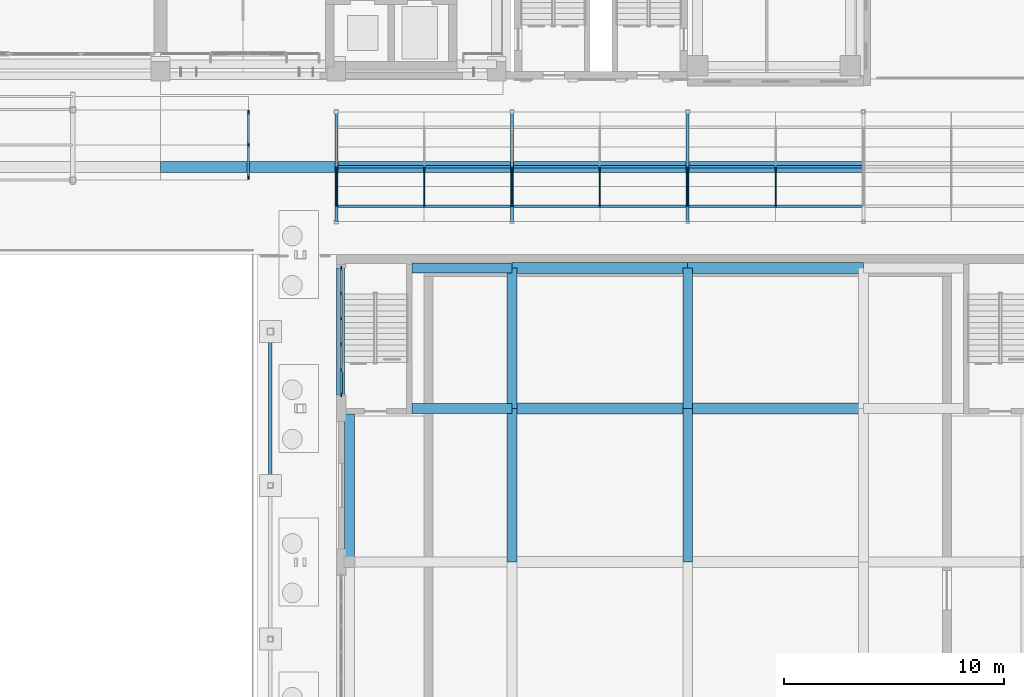
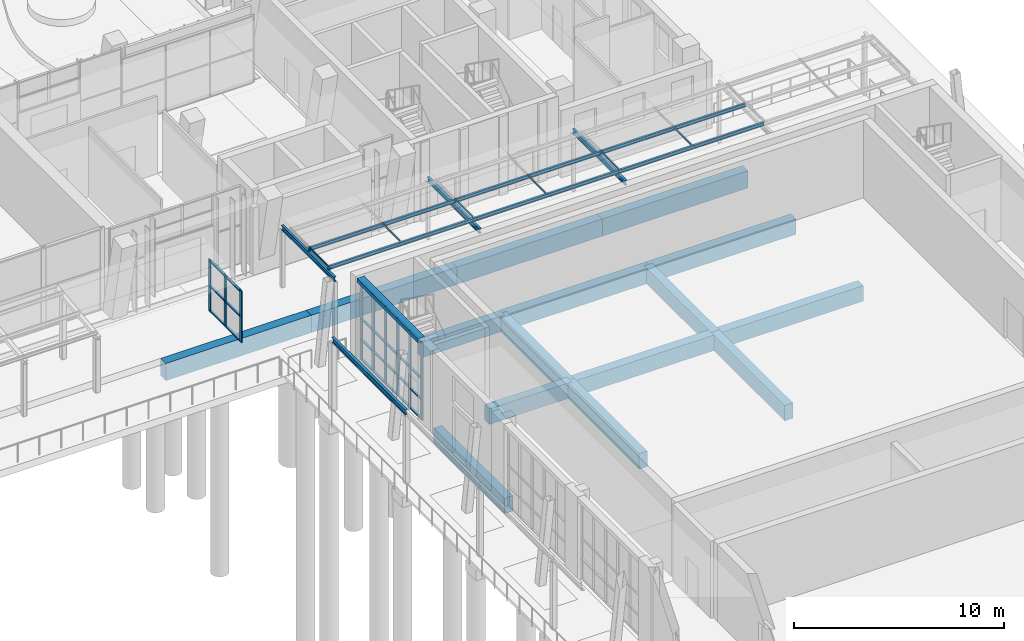
# One storey, part 39 of 144: 47 members, 20 beams, 2 elements without a shape of their own.
"""IFC4 building model written with IfcOpenShell, lengths in metres."""

import ifcopenshell
import ifcopenshell.guid

model = None  # the IFC model being written
_history = None  # IfcOwnerHistory: only IFC2X3 demands one
_inside = {}  # id of a spatial element -> (the spatial element, [elements in it])
_under = {}  # id of a project, library or spatial element -> (it, [spatial elements below it])
_declared = {}  # id of a project -> (the project, [libraries it declares])
_typed = {}  # id of a type object -> (the type object, [elements of that type])
_made_of = {}  # id of a material, layer set ... -> (it, [elements and type objects made of it])


def new_model(schema):
    """Start an empty IFC model of exactly this schema.

    Asked for "IFC4X3", IfcOpenShell would pick the latest addendum, in which some entities
    have other attributes; the version numbers below select the first issue.
    IFC2X3 requires an IfcOwnerHistory on every rooted entity: one is made here for all.
    """
    global model, _history
    if schema == "IFC4X3":
        model = ifcopenshell.file(schema_version=(4, 3, 0, 0))
    else:
        model = ifcopenshell.file(schema=schema)
    _inside.clear()
    _under.clear()
    _declared.clear()
    _typed.clear()
    _made_of.clear()
    _history = None
    if model.schema == "IFC2X3":
        org = make("IfcOrganization", Name="unknown")
        user = make(
            "IfcPersonAndOrganization",
            ThePerson=make("IfcPerson", FamilyName="unknown"),
            TheOrganization=org,
        )
        app = make(
            "IfcApplication",
            ApplicationDeveloper=org,
            Version="unknown",
            ApplicationFullName="unknown",
            ApplicationIdentifier="unknown",
        )
        _history = make(
            "IfcOwnerHistory",
            OwningUser=user,
            OwningApplication=app,
            ChangeAction="ADDED",
            CreationDate=0,
        )
    return model


def make(cls, **values):
    """One entity of the class cls with the attributes given. An attribute that is None is left unset."""
    return model.create_entity(
        cls, **{name: value for name, value in values.items() if value is not None}
    )


def rooted(cls, **values):
    """An entity with a GlobalId (a new one), such as an element, a storey or a relation."""
    return make(cls, GlobalId=ifcopenshell.guid.new(), OwnerHistory=_history, **values)


def si_unit(unit_type, name, prefix=None):
    """IfcSIUnit, for example si_unit("LENGTHUNIT", "METRE", prefix="MILLI")."""
    return make("IfcSIUnit", UnitType=unit_type, Prefix=prefix, Name=name)


def assignment(units):
    """IfcUnitAssignment: the units of a project."""
    return None if units is None else make("IfcUnitAssignment", Units=units)


def point(xyz):
    """IfcCartesianPoint."""
    return None if xyz is None else make("IfcCartesianPoint", Coordinates=xyz)


def direction(xyz):
    """IfcDirection."""
    return None if xyz is None else make("IfcDirection", DirectionRatios=xyz)


def frame(location, z_axis=None, x_axis=None):
    """IfcAxis2Placement3D, a coordinate frame: its origin and axes. An axis left out is left unset."""
    return make(
        "IfcAxis2Placement3D",
        Location=point(location),
        Axis=direction(z_axis),
        RefDirection=direction(x_axis),
    )


def frame_2d(location, x_axis=None):
    """IfcAxis2Placement2D, a coordinate frame in the plane: its origin and x axis."""
    return make(
        "IfcAxis2Placement2D", Location=point(location), RefDirection=direction(x_axis)
    )


def origin():
    """The frame at (0, 0, 0) with its axes left unset."""
    return frame((0.0, 0.0, 0.0))


def origin_2d():
    """The frame at (0, 0) in the plane with its x axis left unset."""
    return frame_2d((0.0, 0.0))


def place(relative_to, where):
    """IfcLocalPlacement: puts the frame where relative to a parent placement (None: the world)."""
    return make(
        "IfcLocalPlacement", PlacementRelTo=relative_to, RelativePlacement=where
    )


def context(
    kind, dimensions, precision=None, world=None, true_north=None, identifier=None
):
    """IfcGeometricRepresentationContext, for example the 3D "Model" context."""
    return make(
        "IfcGeometricRepresentationContext",
        ContextIdentifier=identifier,
        ContextType=kind,
        CoordinateSpaceDimension=dimensions,
        Precision=precision,
        WorldCoordinateSystem=world,
        TrueNorth=true_north,
    )


def subcontext(parent, identifier, kind, view, scale=None):
    """IfcGeometricRepresentationSubContext, for example "Body" below "Model"."""
    return make(
        "IfcGeometricRepresentationSubContext",
        ContextIdentifier=identifier,
        ContextType=kind,
        ParentContext=parent,
        TargetScale=scale,
        TargetView=view,
    )


def project(units=None, contexts=None):
    """IfcProject with its units and contexts."""
    return rooted(
        "IfcProject",
        Name="project",
        RepresentationContexts=contexts,
        UnitsInContext=assignment(units),
    )


def spatial(cls, under=None, at=None, **own):
    """A site, building, storey or space (cls), placed at a placement, below another one or the project."""
    s = rooted(cls, ObjectPlacement=at, **own)
    if under is not None:
        _under.setdefault(under.id(), (under, []))[1].append(s)
    return s


def profile(cls, at=None, kind="AREA", **sizes):
    """A parametric profile (cls). Its sizes go by their IFC names, for example OverallWidth=200.0."""
    return make(cls, ProfileType=kind, Position=at, **sizes)


def rectangle(**sizes):
    """IfcRectangleProfileDef."""
    return profile("IfcRectangleProfileDef", **sizes)


def i_section(**sizes):
    """IfcIShapeProfileDef."""
    return profile("IfcIShapeProfileDef", **sizes)


def extrude(swept, where, along, depth):
    """IfcExtrudedAreaSolid: the profile swept, set in the frame where, extruded along a direction by depth."""
    return make(
        "IfcExtrudedAreaSolid",
        SweptArea=swept,
        Position=where,
        ExtrudedDirection=direction(along),
        Depth=depth,
    )


def shape(context_of_items, identifier, shape_type, items):
    """IfcShapeRepresentation: the items that make up one representation, for example the "Body"."""
    return make(
        "IfcShapeRepresentation",
        ContextOfItems=context_of_items,
        RepresentationIdentifier=identifier,
        RepresentationType=shape_type,
        Items=items,
    )


def material(Name=None, Category=None):
    """IfcMaterial."""
    return make("IfcMaterial", Name=Name, Category=Category)


def layer(
    of_material, thickness, ventilated=None, Name=None, Category=None, Priority=None
):
    """IfcMaterialLayer: one layer of a wall or slab, of a material (None: an air gap)."""
    return make(
        "IfcMaterialLayer",
        Material=of_material,
        LayerThickness=thickness,
        IsVentilated=ventilated,
        Name=Name,
        Category=Category,
        Priority=Priority,
    )


def layer_set(layers, Name=None):
    """IfcMaterialLayerSet."""
    return make("IfcMaterialLayerSet", MaterialLayers=layers, LayerSetName=Name)


def material_profile(
    of_material, cross_section, Name=None, Category=None, Priority=None
):
    """IfcMaterialProfile: a cross section and its material."""
    return make(
        "IfcMaterialProfile",
        Name=Name,
        Material=of_material,
        Profile=cross_section,
        Priority=Priority,
        Category=Category,
    )


def profile_set(profiles, Name=None, composite=None):
    """IfcMaterialProfileSet."""
    return make(
        "IfcMaterialProfileSet",
        Name=Name,
        MaterialProfiles=profiles,
        CompositeProfile=composite,
    )


def made_of(thing, what):
    """Note that an element or type object is made of a material, layer set ...; save() writes the relation."""
    if what is not None:
        _made_of.setdefault(what.id(), (what, []))[1].append(thing)
    return thing


def type_object(cls, material=None, **own):
    """A type object (cls), such as IfcWallType, which elements share."""
    return made_of(rooted(cls, **own), material)


def element(
    cls,
    number,
    at=None,
    inside=None,
    cuts=None,
    type_object=None,
    material=None,
    context=None,
    identifier="Body",
    shape_type=None,
    held_by="IfcProductDefinitionShape",
    body=None,
    shapes=None,
    **own,
):
    """One element of the class cls, such as IfcWall. Its Tag is "e" and its number.

    at: its placement. inside: the storey or other place that contains it. cuts: it is an
    opening in that element (IfcRelVoidsElement). A single representation is given by context,
    identifier, shape_type and body (its items); several are given by shapes. held_by: the class
    of the entity that holds the representations. save() writes the other relations.
    """
    e = rooted(cls, Tag="e%d" % number, ObjectPlacement=at, **own)
    if body is not None:
        shapes = [shape(context, identifier, shape_type, body)]
    if shapes is not None:
        e.Representation = make(held_by, Representations=shapes)
    if inside is not None:
        _inside.setdefault(inside.id(), (inside, []))[1].append(e)
    if cuts is not None:
        rooted(
            "IfcRelVoidsElement", RelatingBuildingElement=cuts, RelatedOpeningElement=e
        )
    if type_object is not None:
        _typed.setdefault(type_object.id(), (type_object, []))[1].append(e)
    return made_of(e, material)


def aggregate(whole, parts):
    """IfcRelAggregates: a whole, such as a stair, and the parts it consists of."""
    return rooted("IfcRelAggregates", RelatingObject=whole, RelatedObjects=parts)


def save(model, path):
    """Write the relations noted so far, then the file.

    IfcRelAggregates (storeys below a building ...), IfcRelContainedInSpatialStructure (elements
    in a storey), IfcRelDefinesByType, IfcRelAssociatesMaterial and IfcRelDeclares: one each for
    every whole, place, type object, material and project.
    """
    for whole, parts in _under.values():
        aggregate(whole, parts)
    for where, things in _inside.values():
        rooted(
            "IfcRelContainedInSpatialStructure",
            RelatedElements=things,
            RelatingStructure=where,
        )
    for kind, things in _typed.values():
        rooted("IfcRelDefinesByType", RelatedObjects=things, RelatingType=kind)
    for what, things in _made_of.values():
        rooted("IfcRelAssociatesMaterial", RelatedObjects=things, RelatingMaterial=what)
    for by, libraries in _declared.values():
        rooted("IfcRelDeclares", RelatingContext=by, RelatedDefinitions=libraries)
    model.write(path)


model = new_model("IFC4")

# Units and contexts
model_context = context("Model", 3, precision=1e-05, world=origin(), true_north=direction((0.0, 1.0)))
body_context = subcontext(model_context, "Body", "Model", "MODEL_VIEW")
ifc_project = project(units=[si_unit("LENGTHUNIT", "METRE"), si_unit("AREAUNIT", "SQUARE_METRE"), si_unit("VOLUMEUNIT", "CUBIC_METRE"), si_unit("PLANEANGLEUNIT", "RADIAN"), si_unit("MASSUNIT", "GRAM", prefix="KILO")], contexts=[model_context])

# Site, building, storey
site_placement = place(None, origin())
site = spatial("IfcSite", under=ifc_project, at=site_placement, CompositionType="ELEMENT")
building_placement = place(site_placement, origin())
building = spatial("IfcBuilding", under=site, at=building_placement, Name="Lantern Court Media Centre", CompositionType="ELEMENT")
storey_placement = place(building_placement, origin())
storey = spatial("IfcBuildingStorey", under=building, at=storey_placement, Name="L00", CompositionType="ELEMENT", Elevation=0.0)

# Beams
ifc_material_1 = material(Name="Steel S355J2 (EN 10025-2)", Category="steel")
ifc_material_profile_1 = material_profile(ifc_material_1, i_section(OverallWidth=0.135009765625, OverallDepth=0.27001953125, WebThickness=0.006591796875, FlangeThickness=0.01025390625, FilletRadius=0.014892578125, at=origin_2d()), Name="IPE 270")
ifc_profile_set_1 = profile_set([ifc_material_profile_1], Name="Steel S355J2 (EN 10025-2)")
beam_type_1 = type_object("IfcBeamType", Name="Cloister canopy portal beam IPE 270", PredefinedType="BEAM", material=ifc_profile_set_1)
for number, where, z_axis, x_axis, name in (
    (1, (72.0, 41.5, 3.465087890625), (0.0, 1.0, 0.0), (-1.0, 0.0, 0.0), "Cloister portal beam 2-1"),
    (2, (80.0, 41.5, 3.465087890625), (0.0, 1.0, 0.0), (-1.0, 0.0, 0.0), "Cloister portal beam 2-2"),
    (3, (88.0, 41.5, 3.465087890625), (0.0, 1.0, 0.0), (-1.0, 0.0, 0.0), "Cloister portal beam 2-3"),
):
    element("IfcBeam", number, at=place(storey_placement, frame(where, z_axis=z_axis, x_axis=x_axis)), inside=storey, type_object=beam_type_1, Name=name, PredefinedType="BEAM", context=body_context, shape_type="SweptSolid", body=[
        extrude(i_section(OverallWidth=0.135009765625, OverallDepth=0.27001953125, WebThickness=0.006591796875, FlangeThickness=0.01025390625, FilletRadius=0.014892578125, at=origin_2d()), origin(), (0.0, 0.0, 1.0), 5.0),
    ])

# Members
ifc_material_profile_2 = material_profile(ifc_material_1, i_section(OverallWidth=0.10009765625, OverallDepth=0.199951171875, WebThickness=0.005615234375, FlangeThickness=0.008544921875, FilletRadius=0.011962890625, at=origin_2d()), Name="IPE 200")
ifc_profile_set_2 = profile_set([ifc_material_profile_2], Name="Steel S355J2 (EN 10025-2)")
member_type_1 = type_object("IfcMemberType", Name="Cloister canopy purlin IPE 200", PredefinedType="PURLIN", material=ifc_profile_set_2)
for number, where, z_axis, x_axis, name in (
    (4, (72.0, 42.199951171875, 3.699951171875), (1.0, 0.0, 0.0), (0.0, 1.0, 0.0), "Cloister purlin 2-1-1"),
    (5, (80.0, 42.199951171875, 3.699951171875), (1.0, 0.0, 0.0), (0.0, 1.0, 0.0), "Cloister purlin 2-1-2"),
    (6, (88.0, 42.199951171875, 3.699951171875), (1.0, 0.0, 0.0), (0.0, 1.0, 0.0), "Cloister purlin 2-1-3"),
    (7, (72.0, 44.0, 3.699951171875), (1.0, 0.0, 0.0), (0.0, 1.0, 0.0), "Cloister purlin 2-2-1"),
    (8, (80.0, 44.0, 3.699951171875), (1.0, 0.0, 0.0), (0.0, 1.0, 0.0), "Cloister purlin 2-2-2"),
    (9, (88.0, 44.0, 3.699951171875), (1.0, 0.0, 0.0), (0.0, 1.0, 0.0), "Cloister purlin 2-2-3"),
):
    element("IfcMember", number, at=place(storey_placement, frame(where, z_axis=z_axis, x_axis=x_axis)), inside=storey, type_object=member_type_1, Name=name, PredefinedType="PURLIN", context=body_context, shape_type="SweptSolid", body=[
        extrude(i_section(OverallWidth=0.10009765625, OverallDepth=0.199951171875, WebThickness=0.005615234375, FlangeThickness=0.008544921875, FilletRadius=0.011962890625, at=origin_2d()), origin(), (0.0, 0.0, 1.0), 8.0),
    ])
ifc_material_profile_3 = material_profile(ifc_material_1, i_section(OverallWidth=0.0458984375, OverallDepth=0.080078125, WebThickness=0.00390625, FlangeThickness=0.005126953125, FilletRadius=0.0048828125, at=origin_2d()), Name="IPE 80")
ifc_profile_set_3 = profile_set([ifc_material_profile_3], Name="Steel S355J2 (EN 10025-2)")
member_type_2 = type_object("IfcMemberType", Name="Cloister sheeting rail IPE 80", PredefinedType="STRUT", material=ifc_profile_set_3)
for number, where, z_axis, x_axis, name in (
    (10, (72.0, 42.199951171875, 3.840087890625), (0.0, 1.0, 0.0), (-1.0, 0.0, 0.0), "Cloister sheeting rail 2-1-1"),
    (11, (76.0, 42.199951171875, 3.840087890625), (0.0, 1.0, 0.0), (-1.0, 0.0, 0.0), "Cloister sheeting rail 2-2-1"),
    (12, (80.0, 42.199951171875, 3.840087890625), (0.0, 1.0, 0.0), (-1.0, 0.0, 0.0), "Cloister sheeting rail 2-3-1"),
    (13, (84.0, 42.199951171875, 3.840087890625), (0.0, 1.0, 0.0), (-1.0, 0.0, 0.0), "Cloister sheeting rail 2-4-1"),
    (14, (88.0, 42.199951171875, 3.840087890625), (0.0, 1.0, 0.0), (-1.0, 0.0, 0.0), "Cloister sheeting rail 2-5-1"),
    (15, (92.0, 42.199951171875, 3.840087890625), (0.0, 1.0, 0.0), (-1.0, 0.0, 0.0), "Cloister sheeting rail 2-6-1"),
):
    element("IfcMember", number, at=place(storey_placement, frame(where, z_axis=z_axis, x_axis=x_axis)), inside=storey, type_object=member_type_2, Name=name, PredefinedType="STRUT", context=body_context, shape_type="SweptSolid", body=[
        extrude(i_section(OverallWidth=0.0458984375, OverallDepth=0.080078125, WebThickness=0.00390625, FlangeThickness=0.005126953125, FilletRadius=0.0048828125, at=origin_2d()), origin(), (0.0, 0.0, 1.0), 1.800048828125),
    ])

# Beam
ifc_material_profile_4 = material_profile(ifc_material_1, i_section(OverallWidth=0.14990234375, OverallDepth=0.300048828125, WebThickness=0.007080078125, FlangeThickness=0.0107421875, FilletRadius=0.014892578125, at=origin_2d()), Name="IPE 300")
ifc_profile_set_4 = profile_set([ifc_material_profile_4], Name="Steel S355J2 (EN 10025-2)")
beam_type_2 = type_object("IfcBeamType", Name="Forecourt colonnade beam IPE 300", PredefinedType="BEAM", material=ifc_profile_set_4)
beam_1_placement = place(storey_placement, frame((69.0, 29.5, 4.050048828125), z_axis=(0.0, 1.0, 0.0), x_axis=(-1.0, 0.0, 0.0)))
element("IfcBeam", 16, at=beam_1_placement, inside=storey, type_object=beam_type_2, Name="Forecourt colonnade beam V2 4", PredefinedType="BEAM", context=body_context, shape_type="SweptSolid", body=[
    extrude(i_section(OverallWidth=0.14990234375, OverallDepth=0.300048828125, WebThickness=0.007080078125, FlangeThickness=0.0107421875, FilletRadius=0.014892578125, at=origin_2d()), origin(), (0.0, 0.0, 1.0), 7.0),
])

# Curtain wall, members
ifc_material_2 = material(Name="Aluminium and glass", Category="aluminium")
ifc_layer = layer(ifc_material_2, 0.14990234375)
ifc_layer_set = layer_set([ifc_layer], Name="Aluminium and glass")
curtain_wall_type = type_object("IfcCurtainWallType", Name="Hall lancet glazing", PredefinedType="NOTDEFINED", material=ifc_layer_set)
curtain_wall_1_placement = place(storey_placement, origin())
curtain_wall_1 = element("IfcCurtainWall", 17, at=curtain_wall_1_placement, inside=storey, type_object=curtain_wall_type, Name="Studio Hall foyer glazing 6", PredefinedType="NOTDEFINED")
ifc_material_3 = material(Name="Aluminium, anodised", Category="aluminium")
ifc_material_profile_5 = material_profile(ifc_material_3, rectangle(XDim=0.06005859375, YDim=0.199951171875, at=origin_2d()), Name="HM")
ifc_profile_set_5 = profile_set([ifc_material_profile_5], Name="Aluminium, anodised")
member_type_3 = type_object("IfcMemberType", Name="HM", PredefinedType="MULLION", material=ifc_profile_set_5)
member_1_placement = place(storey_placement, frame((72.22509765625, 33.6298828125, 0.0), z_axis=(0.0, 0.0, 1.0), x_axis=(-1.0, 0.0, 0.0)))
member_1 = element("IfcMember", 18, at=member_1_placement, type_object=member_type_3, Name="HCW-V26 mullion 1", PredefinedType="MULLION", context=body_context, shape_type="SweptSolid", body=[
    extrude(rectangle(XDim=0.06005859375, YDim=0.199951171875, at=origin_2d()), origin(), (0.0, 0.0, 1.0), 4.550048828125),
])
member_2_placement = place(storey_placement, frame((72.22509765625, 34.760009765625, 0.0), z_axis=(0.0, 0.0, 1.0), x_axis=(-1.0, 0.0, 0.0)))
member_2 = element("IfcMember", 19, at=member_2_placement, type_object=member_type_3, Name="HCW-V26 mullion 2", PredefinedType="MULLION", context=body_context, shape_type="SweptSolid", body=[
    extrude(rectangle(XDim=0.06005859375, YDim=0.199951171875, at=origin_2d()), origin(), (0.0, 0.0, 1.0), 4.550048828125),
])
member_3_placement = place(storey_placement, frame((72.22509765625, 35.919921875, 0.0), z_axis=(0.0, 0.0, 1.0), x_axis=(-1.0, 0.0, 0.0)))
member_3 = element("IfcMember", 20, at=member_3_placement, type_object=member_type_3, Name="HCW-V26 mullion 3", PredefinedType="MULLION", context=body_context, shape_type="SweptSolid", body=[
    extrude(rectangle(XDim=0.06005859375, YDim=0.199951171875, at=origin_2d()), origin(), (0.0, 0.0, 1.0), 4.550048828125),
])
member_4_placement = place(storey_placement, frame((72.22509765625, 37.080078125, 0.0), z_axis=(0.0, 0.0, 1.0), x_axis=(-1.0, 0.0, 0.0)))
member_4 = element("IfcMember", 21, at=member_4_placement, type_object=member_type_3, Name="HCW-V26 mullion 4", PredefinedType="MULLION", context=body_context, shape_type="SweptSolid", body=[
    extrude(rectangle(XDim=0.06005859375, YDim=0.199951171875, at=origin_2d()), origin(), (0.0, 0.0, 1.0), 4.550048828125),
])
member_5_placement = place(storey_placement, frame((72.22509765625, 38.239990234375, 0.0), z_axis=(0.0, 0.0, 1.0), x_axis=(-1.0, 0.0, 0.0)))
member_5 = element("IfcMember", 22, at=member_5_placement, type_object=member_type_3, Name="HCW-V26 mullion 5", PredefinedType="MULLION", context=body_context, shape_type="SweptSolid", body=[
    extrude(rectangle(XDim=0.06005859375, YDim=0.199951171875, at=origin_2d()), origin(), (0.0, 0.0, 1.0), 4.550048828125),
])
member_6_placement = place(storey_placement, frame((72.22509765625, 39.3701171875, 0.0), z_axis=(0.0, 0.0, 1.0), x_axis=(-1.0, 0.0, 0.0)))
member_6 = element("IfcMember", 23, at=member_6_placement, type_object=member_type_3, Name="HCW-V26 mullion 6", PredefinedType="MULLION", context=body_context, shape_type="SweptSolid", body=[
    extrude(rectangle(XDim=0.06005859375, YDim=0.199951171875, at=origin_2d()), origin(), (0.0, 0.0, 1.0), 4.550048828125),
])

curtain_wall_2_placement = place(storey_placement, origin())
curtain_wall_2 = element("IfcCurtainWall", 24, at=curtain_wall_2_placement, inside=storey, type_object=curtain_wall_type, Name="Entrance canopy east end glazing", PredefinedType="NOTDEFINED")
member_7_placement = place(storey_placement, frame((68.0, 43.530029296875, 0.0), z_axis=(0.0, 0.0, 1.0), x_axis=(-1.0, 0.0, 0.0)))
member_7 = element("IfcMember", 25, at=member_7_placement, type_object=member_type_3, Name="HCW-CE mullion 1", PredefinedType="MULLION", context=body_context, shape_type="SweptSolid", body=[
    extrude(rectangle(XDim=0.06005859375, YDim=0.199951171875, at=origin_2d()), origin(), (0.0, 0.0, 1.0), 3.0),
])
member_8_placement = place(storey_placement, frame((68.0, 45.0, 0.0), z_axis=(0.0, 0.0, 1.0), x_axis=(-1.0, 0.0, 0.0)))
member_8 = element("IfcMember", 26, at=member_8_placement, type_object=member_type_3, Name="HCW-CE mullion 2", PredefinedType="MULLION", context=body_context, shape_type="SweptSolid", body=[
    extrude(rectangle(XDim=0.06005859375, YDim=0.199951171875, at=origin_2d()), origin(), (0.0, 0.0, 1.0), 3.0),
])
member_9_placement = place(storey_placement, frame((68.0, 46.469970703125, 0.0), z_axis=(0.0, 0.0, 1.0), x_axis=(-1.0, 0.0, 0.0)))
member_9 = element("IfcMember", 27, at=member_9_placement, type_object=member_type_3, Name="HCW-CE mullion 3", PredefinedType="MULLION", context=body_context, shape_type="SweptSolid", body=[
    extrude(rectangle(XDim=0.06005859375, YDim=0.199951171875, at=origin_2d()), origin(), (0.0, 0.0, 1.0), 3.0),
])

# Member
ifc_material_profile_6 = material_profile(ifc_material_3, rectangle(XDim=0.1201171875, YDim=0.06005859375, at=origin_2d()), Name="HT")
ifc_profile_set_6 = profile_set([ifc_material_profile_6], Name="Aluminium, anodised")
member_type_4 = type_object("IfcMemberType", Name="HT", PredefinedType="USERDEFINED", material=ifc_profile_set_6)
member_10_placement = place(storey_placement, frame((72.22509765625, 33.659912109375, 0.06005859375), z_axis=(0.0, 1.0, 0.0), x_axis=(-1.0, 0.0, 0.0)))
member_10 = element("IfcMember", 28, at=member_10_placement, type_object=member_type_4, Name="HCW-V26 transom 1.1", ObjectType="TRANSOM", PredefinedType="USERDEFINED", context=body_context, shape_type="SweptSolid", body=[
    extrude(rectangle(XDim=0.1201171875, YDim=0.06005859375, at=origin_2d()), origin(), (0.0, 0.0, 1.0), 1.070068359375),
])

member_11_placement = place(storey_placement, frame((72.22509765625, 33.659912109375, 1.199951171875), z_axis=(0.0, 1.0, 0.0), x_axis=(-1.0, 0.0, 0.0)))
member_11 = element("IfcMember", 29, at=member_11_placement, type_object=member_type_4, Name="HCW-V26 transom 1.2", ObjectType="TRANSOM", PredefinedType="USERDEFINED", context=body_context, shape_type="SweptSolid", body=[
    extrude(rectangle(XDim=0.1201171875, YDim=0.06005859375, at=origin_2d()), origin(), (0.0, 0.0, 1.0), 1.070068359375),
])

member_12_placement = place(storey_placement, frame((72.22509765625, 33.659912109375, 2.39990234375), z_axis=(0.0, 1.0, 0.0), x_axis=(-1.0, 0.0, 0.0)))
member_12 = element("IfcMember", 30, at=member_12_placement, type_object=member_type_4, Name="HCW-V26 transom 1.3", ObjectType="TRANSOM", PredefinedType="USERDEFINED", context=body_context, shape_type="SweptSolid", body=[
    extrude(rectangle(XDim=0.1201171875, YDim=0.06005859375, at=origin_2d()), origin(), (0.0, 0.0, 1.0), 1.070068359375),
])

member_13_placement = place(storey_placement, frame((72.22509765625, 33.659912109375, 4.489990234375), z_axis=(0.0, 1.0, 0.0), x_axis=(-1.0, 0.0, 0.0)))
member_13 = element("IfcMember", 31, at=member_13_placement, type_object=member_type_4, Name="HCW-V26 transom 1.4", ObjectType="TRANSOM", PredefinedType="USERDEFINED", context=body_context, shape_type="SweptSolid", body=[
    extrude(rectangle(XDim=0.1201171875, YDim=0.06005859375, at=origin_2d()), origin(), (0.0, 0.0, 1.0), 1.070068359375),
])

member_14_placement = place(storey_placement, frame((72.22509765625, 34.7900390625, 0.06005859375), z_axis=(0.0, 1.0, 0.0), x_axis=(-1.0, 0.0, 0.0)))
member_14 = element("IfcMember", 32, at=member_14_placement, type_object=member_type_4, Name="HCW-V26 transom 2.1", ObjectType="TRANSOM", PredefinedType="USERDEFINED", context=body_context, shape_type="SweptSolid", body=[
    extrude(rectangle(XDim=0.1201171875, YDim=0.06005859375, at=origin_2d()), origin(), (0.0, 0.0, 1.0), 1.099853515625),
])

member_15_placement = place(storey_placement, frame((72.22509765625, 34.7900390625, 1.199951171875), z_axis=(0.0, 1.0, 0.0), x_axis=(-1.0, 0.0, 0.0)))
member_15 = element("IfcMember", 33, at=member_15_placement, type_object=member_type_4, Name="HCW-V26 transom 2.2", ObjectType="TRANSOM", PredefinedType="USERDEFINED", context=body_context, shape_type="SweptSolid", body=[
    extrude(rectangle(XDim=0.1201171875, YDim=0.06005859375, at=origin_2d()), origin(), (0.0, 0.0, 1.0), 1.099853515625),
])

member_16_placement = place(storey_placement, frame((72.22509765625, 34.7900390625, 2.39990234375), z_axis=(0.0, 1.0, 0.0), x_axis=(-1.0, 0.0, 0.0)))
member_16 = element("IfcMember", 34, at=member_16_placement, type_object=member_type_4, Name="HCW-V26 transom 2.3", ObjectType="TRANSOM", PredefinedType="USERDEFINED", context=body_context, shape_type="SweptSolid", body=[
    extrude(rectangle(XDim=0.1201171875, YDim=0.06005859375, at=origin_2d()), origin(), (0.0, 0.0, 1.0), 1.099853515625),
])

member_17_placement = place(storey_placement, frame((72.22509765625, 34.7900390625, 4.489990234375), z_axis=(0.0, 1.0, 0.0), x_axis=(-1.0, 0.0, 0.0)))
member_17 = element("IfcMember", 35, at=member_17_placement, type_object=member_type_4, Name="HCW-V26 transom 2.4", ObjectType="TRANSOM", PredefinedType="USERDEFINED", context=body_context, shape_type="SweptSolid", body=[
    extrude(rectangle(XDim=0.1201171875, YDim=0.06005859375, at=origin_2d()), origin(), (0.0, 0.0, 1.0), 1.099853515625),
])

member_18_placement = place(storey_placement, frame((72.22509765625, 35.949951171875, 0.06005859375), z_axis=(0.0, 1.0, 0.0), x_axis=(-1.0, 0.0, 0.0)))
member_18 = element("IfcMember", 36, at=member_18_placement, type_object=member_type_4, Name="HCW-V26 transom 3.1", ObjectType="TRANSOM", PredefinedType="USERDEFINED", context=body_context, shape_type="SweptSolid", body=[
    extrude(rectangle(XDim=0.1201171875, YDim=0.06005859375, at=origin_2d()), origin(), (0.0, 0.0, 1.0), 1.10009765625),
])

member_19_placement = place(storey_placement, frame((72.22509765625, 35.949951171875, 1.199951171875), z_axis=(0.0, 1.0, 0.0), x_axis=(-1.0, 0.0, 0.0)))
member_19 = element("IfcMember", 37, at=member_19_placement, type_object=member_type_4, Name="HCW-V26 transom 3.2", ObjectType="TRANSOM", PredefinedType="USERDEFINED", context=body_context, shape_type="SweptSolid", body=[
    extrude(rectangle(XDim=0.1201171875, YDim=0.06005859375, at=origin_2d()), origin(), (0.0, 0.0, 1.0), 1.10009765625),
])

member_20_placement = place(storey_placement, frame((72.22509765625, 35.949951171875, 2.39990234375), z_axis=(0.0, 1.0, 0.0), x_axis=(-1.0, 0.0, 0.0)))
member_20 = element("IfcMember", 38, at=member_20_placement, type_object=member_type_4, Name="HCW-V26 transom 3.3", ObjectType="TRANSOM", PredefinedType="USERDEFINED", context=body_context, shape_type="SweptSolid", body=[
    extrude(rectangle(XDim=0.1201171875, YDim=0.06005859375, at=origin_2d()), origin(), (0.0, 0.0, 1.0), 1.10009765625),
])

member_21_placement = place(storey_placement, frame((72.22509765625, 35.949951171875, 4.489990234375), z_axis=(0.0, 1.0, 0.0), x_axis=(-1.0, 0.0, 0.0)))
member_21 = element("IfcMember", 39, at=member_21_placement, type_object=member_type_4, Name="HCW-V26 transom 3.4", ObjectType="TRANSOM", PredefinedType="USERDEFINED", context=body_context, shape_type="SweptSolid", body=[
    extrude(rectangle(XDim=0.1201171875, YDim=0.06005859375, at=origin_2d()), origin(), (0.0, 0.0, 1.0), 1.10009765625),
])

member_22_placement = place(storey_placement, frame((72.22509765625, 37.110107421875, 0.06005859375), z_axis=(0.0, 1.0, 0.0), x_axis=(-1.0, 0.0, 0.0)))
member_22 = element("IfcMember", 40, at=member_22_placement, type_object=member_type_4, Name="HCW-V26 transom 4.1", ObjectType="TRANSOM", PredefinedType="USERDEFINED", context=body_context, shape_type="SweptSolid", body=[
    extrude(rectangle(XDim=0.1201171875, YDim=0.06005859375, at=origin_2d()), origin(), (0.0, 0.0, 1.0), 1.099853515625),
])

member_23_placement = place(storey_placement, frame((72.22509765625, 37.110107421875, 1.199951171875), z_axis=(0.0, 1.0, 0.0), x_axis=(-1.0, 0.0, 0.0)))
member_23 = element("IfcMember", 41, at=member_23_placement, type_object=member_type_4, Name="HCW-V26 transom 4.2", ObjectType="TRANSOM", PredefinedType="USERDEFINED", context=body_context, shape_type="SweptSolid", body=[
    extrude(rectangle(XDim=0.1201171875, YDim=0.06005859375, at=origin_2d()), origin(), (0.0, 0.0, 1.0), 1.099853515625),
])

member_24_placement = place(storey_placement, frame((72.22509765625, 37.110107421875, 2.39990234375), z_axis=(0.0, 1.0, 0.0), x_axis=(-1.0, 0.0, 0.0)))
member_24 = element("IfcMember", 42, at=member_24_placement, type_object=member_type_4, Name="HCW-V26 transom 4.3", ObjectType="TRANSOM", PredefinedType="USERDEFINED", context=body_context, shape_type="SweptSolid", body=[
    extrude(rectangle(XDim=0.1201171875, YDim=0.06005859375, at=origin_2d()), origin(), (0.0, 0.0, 1.0), 1.099853515625),
])

member_25_placement = place(storey_placement, frame((72.22509765625, 37.110107421875, 4.489990234375), z_axis=(0.0, 1.0, 0.0), x_axis=(-1.0, 0.0, 0.0)))
member_25 = element("IfcMember", 43, at=member_25_placement, type_object=member_type_4, Name="HCW-V26 transom 4.4", ObjectType="TRANSOM", PredefinedType="USERDEFINED", context=body_context, shape_type="SweptSolid", body=[
    extrude(rectangle(XDim=0.1201171875, YDim=0.06005859375, at=origin_2d()), origin(), (0.0, 0.0, 1.0), 1.099853515625),
])

member_26_placement = place(storey_placement, frame((72.22509765625, 38.27001953125, 0.06005859375), z_axis=(0.0, 1.0, 0.0), x_axis=(-1.0, 0.0, 0.0)))
member_26 = element("IfcMember", 44, at=member_26_placement, type_object=member_type_4, Name="HCW-V26 transom 5.1", ObjectType="TRANSOM", PredefinedType="USERDEFINED", context=body_context, shape_type="SweptSolid", body=[
    extrude(rectangle(XDim=0.1201171875, YDim=0.06005859375, at=origin_2d()), origin(), (0.0, 0.0, 1.0), 1.070068359375),
])

member_27_placement = place(storey_placement, frame((72.22509765625, 38.27001953125, 1.199951171875), z_axis=(0.0, 1.0, 0.0), x_axis=(-1.0, 0.0, 0.0)))
member_27 = element("IfcMember", 45, at=member_27_placement, type_object=member_type_4, Name="HCW-V26 transom 5.2", ObjectType="TRANSOM", PredefinedType="USERDEFINED", context=body_context, shape_type="SweptSolid", body=[
    extrude(rectangle(XDim=0.1201171875, YDim=0.06005859375, at=origin_2d()), origin(), (0.0, 0.0, 1.0), 1.070068359375),
])

member_28_placement = place(storey_placement, frame((72.22509765625, 38.27001953125, 2.39990234375), z_axis=(0.0, 1.0, 0.0), x_axis=(-1.0, 0.0, 0.0)))
member_28 = element("IfcMember", 46, at=member_28_placement, type_object=member_type_4, Name="HCW-V26 transom 5.3", ObjectType="TRANSOM", PredefinedType="USERDEFINED", context=body_context, shape_type="SweptSolid", body=[
    extrude(rectangle(XDim=0.1201171875, YDim=0.06005859375, at=origin_2d()), origin(), (0.0, 0.0, 1.0), 1.070068359375),
])

member_29_placement = place(storey_placement, frame((72.22509765625, 38.27001953125, 4.489990234375), z_axis=(0.0, 1.0, 0.0), x_axis=(-1.0, 0.0, 0.0)))
member_29 = element("IfcMember", 47, at=member_29_placement, type_object=member_type_4, Name="HCW-V26 transom 5.4", ObjectType="TRANSOM", PredefinedType="USERDEFINED", context=body_context, shape_type="SweptSolid", body=[
    extrude(rectangle(XDim=0.1201171875, YDim=0.06005859375, at=origin_2d()), origin(), (0.0, 0.0, 1.0), 1.070068359375),
])

aggregate(curtain_wall_1, [member_1, member_2, member_3, member_4, member_5, member_6, member_10, member_11, member_12, member_13, member_14, member_15, member_16, member_17, member_18, member_19, member_20, member_21, member_22, member_23, member_24, member_25, member_26, member_27, member_28, member_29])

member_30_placement = place(storey_placement, frame((68.0, 43.56005859375, 0.06005859375), z_axis=(0.0, 1.0, 0.0), x_axis=(-1.0, 0.0, 0.0)))
member_30 = element("IfcMember", 48, at=member_30_placement, type_object=member_type_4, Name="HCW-CE transom 1.1", ObjectType="TRANSOM", PredefinedType="USERDEFINED", context=body_context, shape_type="SweptSolid", body=[
    extrude(rectangle(XDim=0.1201171875, YDim=0.06005859375, at=origin_2d()), origin(), (0.0, 0.0, 1.0), 1.409912109375),
])

member_31_placement = place(storey_placement, frame((68.0, 43.56005859375, 1.5), z_axis=(0.0, 1.0, 0.0), x_axis=(-1.0, 0.0, 0.0)))
member_31 = element("IfcMember", 49, at=member_31_placement, type_object=member_type_4, Name="HCW-CE transom 1.2", ObjectType="TRANSOM", PredefinedType="USERDEFINED", context=body_context, shape_type="SweptSolid", body=[
    extrude(rectangle(XDim=0.1201171875, YDim=0.06005859375, at=origin_2d()), origin(), (0.0, 0.0, 1.0), 1.409912109375),
])

member_32_placement = place(storey_placement, frame((68.0, 43.56005859375, 2.93994140625), z_axis=(0.0, 1.0, 0.0), x_axis=(-1.0, 0.0, 0.0)))
member_32 = element("IfcMember", 50, at=member_32_placement, type_object=member_type_4, Name="HCW-CE transom 1.3", ObjectType="TRANSOM", PredefinedType="USERDEFINED", context=body_context, shape_type="SweptSolid", body=[
    extrude(rectangle(XDim=0.1201171875, YDim=0.06005859375, at=origin_2d()), origin(), (0.0, 0.0, 1.0), 1.409912109375),
])

member_33_placement = place(storey_placement, frame((68.0, 45.030029296875, 0.06005859375), z_axis=(0.0, 1.0, 0.0), x_axis=(-1.0, 0.0, 0.0)))
member_33 = element("IfcMember", 51, at=member_33_placement, type_object=member_type_4, Name="HCW-CE transom 2.1", ObjectType="TRANSOM", PredefinedType="USERDEFINED", context=body_context, shape_type="SweptSolid", body=[
    extrude(rectangle(XDim=0.1201171875, YDim=0.06005859375, at=origin_2d()), origin(), (0.0, 0.0, 1.0), 1.409912109375),
])

member_34_placement = place(storey_placement, frame((68.0, 45.030029296875, 1.5), z_axis=(0.0, 1.0, 0.0), x_axis=(-1.0, 0.0, 0.0)))
member_34 = element("IfcMember", 52, at=member_34_placement, type_object=member_type_4, Name="HCW-CE transom 2.2", ObjectType="TRANSOM", PredefinedType="USERDEFINED", context=body_context, shape_type="SweptSolid", body=[
    extrude(rectangle(XDim=0.1201171875, YDim=0.06005859375, at=origin_2d()), origin(), (0.0, 0.0, 1.0), 1.409912109375),
])

member_35_placement = place(storey_placement, frame((68.0, 45.030029296875, 2.93994140625), z_axis=(0.0, 1.0, 0.0), x_axis=(-1.0, 0.0, 0.0)))
member_35 = element("IfcMember", 53, at=member_35_placement, type_object=member_type_4, Name="HCW-CE transom 2.3", ObjectType="TRANSOM", PredefinedType="USERDEFINED", context=body_context, shape_type="SweptSolid", body=[
    extrude(rectangle(XDim=0.1201171875, YDim=0.06005859375, at=origin_2d()), origin(), (0.0, 0.0, 1.0), 1.409912109375),
])

aggregate(curtain_wall_2, [member_7, member_8, member_9, member_30, member_31, member_32, member_33, member_34, member_35])

# Beams
ifc_material_4 = material(Name="Concrete C35", Category="concrete")
ifc_material_profile_7 = material_profile(ifc_material_4, rectangle(XDim=0.3798828125, YDim=0.25, at=origin_2d()), Name="RC 380x250")
ifc_profile_set_7 = profile_set([ifc_material_profile_7], Name="Concrete C35")
beam_type_3 = type_object("IfcBeamType", Name="RC BEAM 380x250", PredefinedType="BEAM", material=ifc_profile_set_7)
beam_2_placement = place(storey_placement, frame((72.18994140625, 33.60009765625, 4.675048828125), z_axis=(0.0, 1.0, 0.0), x_axis=(-1.0, 0.0, 0.0)))
element("IfcBeam", 54, at=beam_2_placement, inside=storey, type_object=beam_type_3, Name="HB-V2-L00-FH5", PredefinedType="BEAM", context=body_context, shape_type="SweptSolid", body=[
    extrude(rectangle(XDim=0.3798828125, YDim=0.25, at=origin_2d()), origin(), (0.0, 0.0, 1.0), 5.7998046875),
])
ifc_material_profile_8 = material_profile(ifc_material_4, rectangle(XDim=0.449951171875, YDim=0.89990234375, at=origin_2d()), Name="RC 450x900")
ifc_profile_set_8 = profile_set([ifc_material_profile_8], Name="Concrete C35")
beam_type_4 = type_object("IfcBeamType", Name="RC BEAM 450x900", PredefinedType="BEAM", material=ifc_profile_set_8)
for number, where, z_axis, x_axis, name in (
    (55, (75.449951171875, 33.0, -0.449951171875), (1.0, 0.0, 0.0), (0.0, 1.0, 0.0), "HB-V2-L00-PX5-0"),
    (56, (75.449951171875, 39.39990234375, -0.449951171875), (1.0, 0.0, 0.0), (0.0, 1.0, 0.0), "HB-V2-L00-PX6-0"),
):
    element("IfcBeam", number, at=place(storey_placement, frame(where, z_axis=z_axis, x_axis=x_axis)), inside=storey, type_object=beam_type_4, Name=name, PredefinedType="BEAM", context=body_context, shape_type="SweptSolid", body=[
        extrude(rectangle(XDim=0.449951171875, YDim=0.89990234375, at=origin_2d()), origin(), (0.0, 0.0, 1.0), 4.550048828125),
    ])
beam_3_placement = place(storey_placement, frame((72.60009765625, 26.0, -0.449951171875), z_axis=(0.0, 1.0, 0.0), x_axis=(-1.0, 0.0, 0.0)))
element("IfcBeam", 57, at=beam_3_placement, inside=storey, type_object=beam_type_4, Name="HB-V2-L00-PY0-4", PredefinedType="BEAM", context=body_context, shape_type="SweptSolid", body=[
    extrude(rectangle(XDim=0.449951171875, YDim=0.89990234375, at=origin_2d()), origin(), (0.0, 0.0, 1.0), 6.75),
])
beam_4_placement = place(storey_placement, frame((80.0, 26.0, -0.449951171875), z_axis=(0.0, 1.0, 0.0), x_axis=(-1.0, 0.0, 0.0)))
element("IfcBeam", 58, at=beam_4_placement, inside=storey, type_object=beam_type_4, Name="HB-V2-L00-PY1-4", PredefinedType="BEAM", context=body_context, shape_type="SweptSolid", body=[
    extrude(rectangle(XDim=0.449951171875, YDim=0.89990234375, at=origin_2d()), origin(), (0.0, 0.0, 1.0), 7.0),
])
beam_5_placement = place(storey_placement, frame((80.0, 33.0, -0.449951171875), z_axis=(0.0, 1.0, 0.0), x_axis=(-1.0, 0.0, 0.0)))
element("IfcBeam", 59, at=beam_5_placement, inside=storey, type_object=beam_type_4, Name="HB-V2-L00-PY1-5", PredefinedType="BEAM", context=body_context, shape_type="SweptSolid", body=[
    extrude(rectangle(XDim=0.449951171875, YDim=0.89990234375, at=origin_2d()), origin(), (0.0, 0.0, 1.0), 6.39990234375),
])
beam_6_placement = place(storey_placement, frame((88.0, 26.0, -0.449951171875), z_axis=(0.0, 1.0, 0.0), x_axis=(-1.0, 0.0, 0.0)))
element("IfcBeam", 60, at=beam_6_placement, inside=storey, type_object=beam_type_4, Name="HB-V2-L00-PY2-4", PredefinedType="BEAM", context=body_context, shape_type="SweptSolid", body=[
    extrude(rectangle(XDim=0.449951171875, YDim=0.89990234375, at=origin_2d()), origin(), (0.0, 0.0, 1.0), 7.0),
])
beam_7_placement = place(storey_placement, frame((88.0, 33.0, -0.449951171875), z_axis=(0.0, 1.0, 0.0), x_axis=(-1.0, 0.0, 0.0)))
element("IfcBeam", 61, at=beam_7_placement, inside=storey, type_object=beam_type_4, Name="HB-V2-L00-PY2-5", PredefinedType="BEAM", context=body_context, shape_type="SweptSolid", body=[
    extrude(rectangle(XDim=0.449951171875, YDim=0.89990234375, at=origin_2d()), origin(), (0.0, 0.0, 1.0), 6.39990234375),
])
ifc_material_profile_9 = material_profile(ifc_material_4, rectangle(XDim=0.5, YDim=1.0, at=origin_2d()), Name="RC 500x1000")
ifc_profile_set_9 = profile_set([ifc_material_profile_9], Name="Concrete C35")
beam_type_5 = type_object("IfcBeamType", Name="RC BEAM 500x1000", PredefinedType="BEAM", material=ifc_profile_set_9)
for number, where, z_axis, x_axis, name in (
    (62, (64.0, 44.0, -0.5), (1.0, 0.0, 0.0), (0.0, 1.0, 0.0), "GB-GAL-8"),
    (63, (72.0, 44.0, -0.5), (1.0, 0.0, 0.0), (0.0, 1.0, 0.0), "GB-GAL-9"),
    (64, (80.0, 44.0, -0.5), (1.0, 0.0, 0.0), (0.0, 1.0, 0.0), "GB-GAL-10"),
    (65, (88.0, 44.0, -0.5), (1.0, 0.0, 0.0), (0.0, 1.0, 0.0), "GB-GAL-11"),
):
    element("IfcBeam", number, at=place(storey_placement, frame(where, z_axis=z_axis, x_axis=x_axis)), inside=storey, type_object=beam_type_5, Name=name, PredefinedType="BEAM", context=body_context, shape_type="SweptSolid", body=[
        extrude(rectangle(XDim=0.5, YDim=1.0, at=origin_2d()), origin(), (0.0, 0.0, 1.0), 8.0),
    ])
ifc_material_profile_10 = material_profile(ifc_material_4, rectangle(XDim=0.5, YDim=0.89990234375, at=origin_2d()), Name="RC 500x900")
ifc_profile_set_10 = profile_set([ifc_material_profile_10], Name="Concrete C35")
beam_type_6 = type_object("IfcBeamType", Name="RC BEAM 500x900", PredefinedType="BEAM", material=ifc_profile_set_10)
for number, where, z_axis, x_axis, name in (
    (66, (80.0, 33.0, -0.449951171875), (1.0, 0.0, 0.0), (0.0, 1.0, 0.0), "HB-V2-L00-PX5-1"),
    (67, (88.0, 33.0, -0.449951171875), (1.0, 0.0, 0.0), (0.0, 1.0, 0.0), "HB-V2-L00-PX5-2"),
    (68, (80.0, 39.39990234375, -0.449951171875), (1.0, 0.0, 0.0), (0.0, 1.0, 0.0), "HB-V2-L00-PX6-1"),
    (69, (88.0, 39.39990234375, -0.449951171875), (1.0, 0.0, 0.0), (0.0, 1.0, 0.0), "HB-V2-L00-PX6-2"),
):
    element("IfcBeam", number, at=place(storey_placement, frame(where, z_axis=z_axis, x_axis=x_axis)), inside=storey, type_object=beam_type_6, Name=name, PredefinedType="BEAM", context=body_context, shape_type="SweptSolid", body=[
        extrude(rectangle(XDim=0.5, YDim=0.89990234375, at=origin_2d()), origin(), (0.0, 0.0, 1.0), 8.0),
    ])

save(model, "model.ifc")
